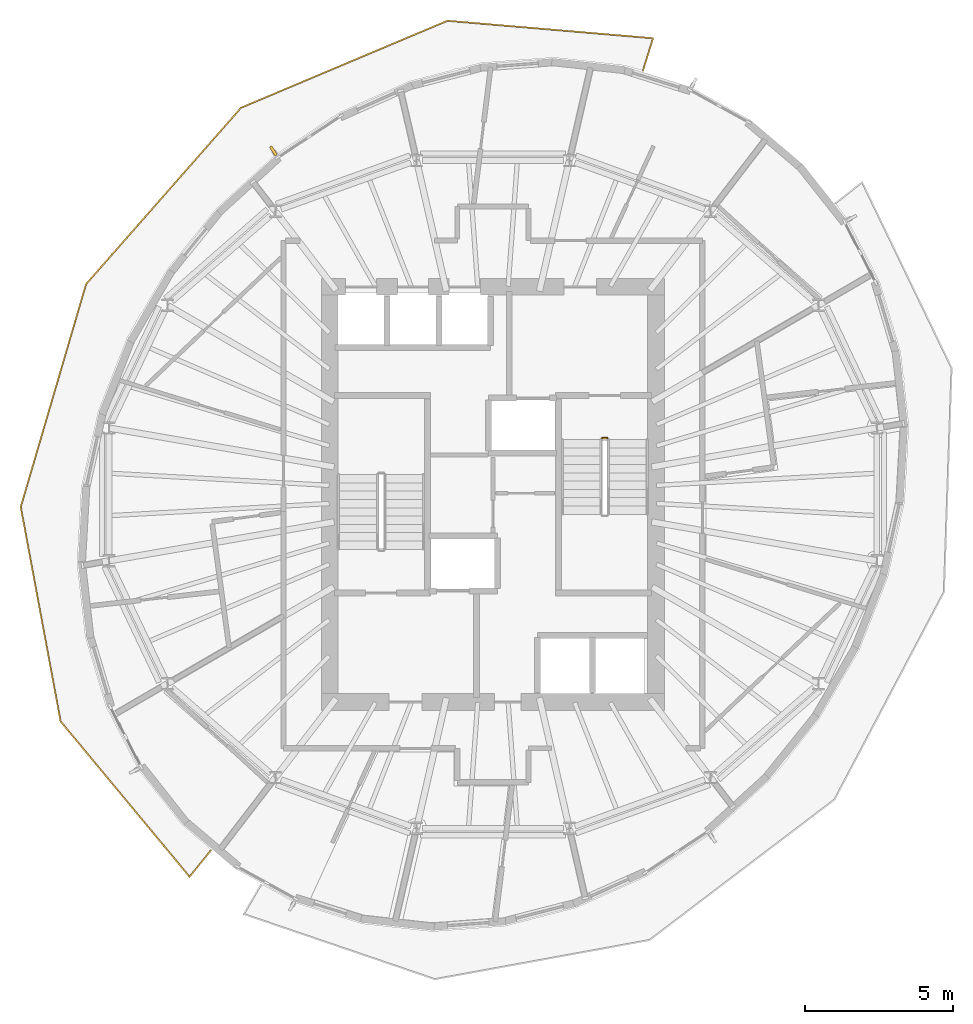
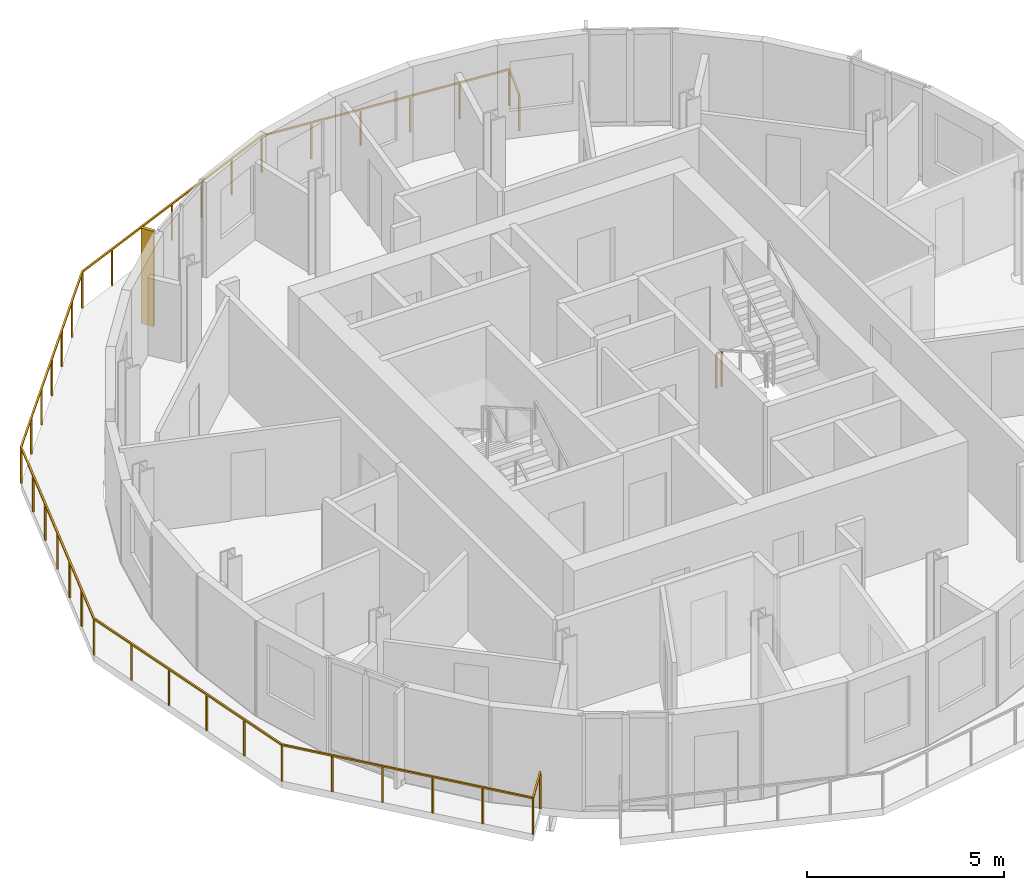
# One storey, part 10 of 11: 2 railings, 1 shading device.
"""IFC4 building model written with IfcOpenShell, lengths in metres."""

from ifc_helpers import new_model, si_unit, direction, frame, origin, origin_2d, place, context, subcontext, project, spatial, rectangle, extrude, material, layer, layer_set, type_object, element, save


model = new_model("IFC4")

# Units and contexts
model_context = context("Model", 3, precision=1e-05, world=origin(), true_north=direction((0.0, 1.0)))
body_context = subcontext(model_context, "Body", "Model", "MODEL_VIEW")
ifc_project = project(units=[si_unit("LENGTHUNIT", "METRE"), si_unit("AREAUNIT", "SQUARE_METRE"), si_unit("VOLUMEUNIT", "CUBIC_METRE"), si_unit("PLANEANGLEUNIT", "RADIAN"), si_unit("MASSUNIT", "GRAM", prefix="KILO")], contexts=[model_context])

# Site, building, storey
site_placement = place(None, origin())
site = spatial("IfcSite", under=ifc_project, at=site_placement, CompositionType="ELEMENT")
building_placement = place(site_placement, origin())
building = spatial("IfcBuilding", under=site, at=building_placement, Name="Veldorim Arch Residences", CompositionType="ELEMENT")
storey_placement = place(building_placement, frame((0.0, 0.0, 220.639892578125)))
storey = spatial("IfcBuildingStorey", under=building, at=storey_placement, Name="L66", CompositionType="ELEMENT", Elevation=220.639892578125)

# Railings
ifc_material_1 = material(Name="Aluminium", Category="aluminium")
railing_type_1 = type_object("IfcRailingType", Name="Balcony & Terrace Laminated Glass Balustrade 1150", PredefinedType="BALUSTRADE", material=ifc_material_1)
railing_1_placement = place(storey_placement, frame((37.05712890625, 38.286865234375, 0.0)))
element("IfcRailing", 1, at=railing_1_placement, inside=storey, type_object=railing_type_1, Name="L66 crescent balcony safety balustrade A", PredefinedType="BALUSTRADE", context=body_context, shape_type="SweptSolid", body=[
    extrude(rectangle(XDim=0.048095703125, YDim=0.048095703125, at=origin_2d()), frame((0.0, 0.0, 1.1259765625), z_axis=(0.298274993136, 0.954479978035, 0.0), x_axis=(-0.954479978035, 0.298274993136, 0.0)), (0.0, 0.0, 1.0), 1.14990234375),
    extrude(rectangle(XDim=0.048095703125, YDim=0.048095703125, at=origin_2d()), frame((0.343017578125, 1.09765625, 1.1259765625), z_axis=(-0.996398511951, 0.084793899432, 0.0), x_axis=(-0.084793899432, -0.996398511951, 0.0)), (0.0, 0.0, 1.0), 6.956298828125),
    extrude(rectangle(XDim=0.048095703125, YDim=0.048095703125, at=origin_2d()), frame((-6.588134765625, 1.6875, 1.1259765625), z_axis=(-0.921610434895, -0.388116227815, 0.0), x_axis=(0.388116227815, -0.921610434895, 0.0)), (0.0, 0.0, 1.0), 7.555419921875),
    extrude(rectangle(XDim=0.048095703125, YDim=0.048095703125, at=origin_2d()), frame((-13.55126953125, -1.244873046875, 1.1259765625), z_axis=(-0.660087723453, -0.751188523173, 0.0), x_axis=(0.751188523173, -0.660087723453, 0.0)), (0.0, 0.0, 1.0), 7.919189453125),
    extrude(rectangle(XDim=0.048095703125, YDim=0.048095703125, at=origin_2d()), frame((-18.778564453125, -7.193603515625, 1.1259765625), z_axis=(-0.281281819309, -0.959625207113, 0.0), x_axis=(0.959625207113, -0.281281819309, 0.0)), (0.0, 0.0, 1.0), 7.83154296875),
    extrude(rectangle(XDim=0.048095703125, YDim=0.048095703125, at=origin_2d()), frame((-20.9814453125, -14.708984375, 1.1259765625), z_axis=(0.18281765772, -0.983146837469, 0.0), x_axis=(0.983146837469, 0.18281765772, 0.0)), (0.0, 0.0, 1.0), 7.35693359375),
    extrude(rectangle(XDim=0.048095703125, YDim=0.048095703125, at=origin_2d()), frame((-19.636474609375, -21.94189453125, 1.1259765625), z_axis=(0.638793821761, -0.769377965164, 0.0), x_axis=(0.769377965164, 0.638793821761, 0.0)), (0.0, 0.0, 1.0), 6.80908203125),
    extrude(rectangle(XDim=0.048095703125, YDim=0.048095703125, at=origin_2d()), frame((-15.286865234375, -27.1806640625, 1.1259765625), z_axis=(0.62877677266, 0.777585860316, 0.0), x_axis=(-0.777585860316, 0.62877677266, 0.0)), (0.0, 0.0, 1.0), 1.150146484375),
    extrude(rectangle(XDim=0.0419921875, YDim=0.0419921875, at=origin_2d()), origin(), (0.0, 0.0, 1.0), 1.101806640625),
    extrude(rectangle(XDim=0.0419921875, YDim=0.0419921875, at=origin_2d()), frame((0.343017578125, 1.09765625, 0.0)), (0.0, 0.0, 1.0), 1.101806640625),
    extrude(rectangle(XDim=0.0419921875, YDim=0.0419921875, at=origin_2d()), frame((-1.043212890625, 1.215576171875, 0.0)), (0.0, 0.0, 1.0), 1.101806640625),
    extrude(rectangle(XDim=0.0419921875, YDim=0.0419921875, at=origin_2d()), frame((-2.429443359375, 1.33349609375, 0.0)), (0.0, 0.0, 1.0), 1.101806640625),
    extrude(rectangle(XDim=0.0419921875, YDim=0.0419921875, at=origin_2d()), frame((-3.815673828125, 1.45166015625, 0.0)), (0.0, 0.0, 1.0), 1.101806640625),
    extrude(rectangle(XDim=0.0419921875, YDim=0.0419921875, at=origin_2d()), frame((-5.201904296875, 1.569580078125, 0.0)), (0.0, 0.0, 1.0), 1.101806640625),
    extrude(rectangle(XDim=0.0419921875, YDim=0.0419921875, at=origin_2d()), frame((-6.588134765625, 1.6875, 0.0)), (0.0, 0.0, 1.0), 1.101806640625),
    extrude(rectangle(XDim=0.0419921875, YDim=0.0419921875, at=origin_2d()), frame((-7.74853515625, 1.19873046875, 0.0)), (0.0, 0.0, 1.0), 1.101806640625),
    extrude(rectangle(XDim=0.0419921875, YDim=0.0419921875, at=origin_2d()), frame((-8.9091796875, 0.7099609375, 0.0)), (0.0, 0.0, 1.0), 1.101806640625),
    extrude(rectangle(XDim=0.0419921875, YDim=0.0419921875, at=origin_2d()), frame((-10.06982421875, 0.22119140625, 0.0)), (0.0, 0.0, 1.0), 1.101806640625),
    extrude(rectangle(XDim=0.0419921875, YDim=0.0419921875, at=origin_2d()), frame((-11.230224609375, -0.267333984375, 0.0)), (0.0, 0.0, 1.0), 1.101806640625),
    extrude(rectangle(XDim=0.0419921875, YDim=0.0419921875, at=origin_2d()), frame((-12.390625, -0.756103515625, 0.0)), (0.0, 0.0, 1.0), 1.101806640625),
    extrude(rectangle(XDim=0.0419921875, YDim=0.0419921875, at=origin_2d()), frame((-13.55126953125, -1.244873046875, 0.0)), (0.0, 0.0, 1.0), 1.101806640625),
    extrude(rectangle(XDim=0.0419921875, YDim=0.0419921875, at=origin_2d()), frame((-14.42236328125, -2.236328125, 0.0)), (0.0, 0.0, 1.0), 1.101806640625),
    extrude(rectangle(XDim=0.0419921875, YDim=0.0419921875, at=origin_2d()), frame((-15.293701171875, -3.227783203125, 0.0)), (0.0, 0.0, 1.0), 1.101806640625),
    extrude(rectangle(XDim=0.0419921875, YDim=0.0419921875, at=origin_2d()), frame((-16.1650390625, -4.21923828125, 0.0)), (0.0, 0.0, 1.0), 1.101806640625),
    extrude(rectangle(XDim=0.0419921875, YDim=0.0419921875, at=origin_2d()), frame((-17.0361328125, -5.210693359375, 0.0)), (0.0, 0.0, 1.0), 1.101806640625),
    extrude(rectangle(XDim=0.0419921875, YDim=0.0419921875, at=origin_2d()), frame((-17.9072265625, -6.2021484375, 0.0)), (0.0, 0.0, 1.0), 1.101806640625),
    extrude(rectangle(XDim=0.0419921875, YDim=0.0419921875, at=origin_2d()), frame((-18.778564453125, -7.193603515625, 0.0)), (0.0, 0.0, 1.0), 1.101806640625),
    extrude(rectangle(XDim=0.0419921875, YDim=0.0419921875, at=origin_2d()), frame((-19.145751953125, -8.4462890625, 0.0)), (0.0, 0.0, 1.0), 1.101806640625),
    extrude(rectangle(XDim=0.0419921875, YDim=0.0419921875, at=origin_2d()), frame((-19.512939453125, -9.69873046875, 0.0)), (0.0, 0.0, 1.0), 1.101806640625),
    extrude(rectangle(XDim=0.0419921875, YDim=0.0419921875, at=origin_2d()), frame((-19.8798828125, -10.951171875, 0.0)), (0.0, 0.0, 1.0), 1.101806640625),
    extrude(rectangle(XDim=0.0419921875, YDim=0.0419921875, at=origin_2d()), frame((-20.2470703125, -12.203857421875, 0.0)), (0.0, 0.0, 1.0), 1.101806640625),
    extrude(rectangle(XDim=0.0419921875, YDim=0.0419921875, at=origin_2d()), frame((-20.6142578125, -13.45654296875, 0.0)), (0.0, 0.0, 1.0), 1.101806640625),
    extrude(rectangle(XDim=0.0419921875, YDim=0.0419921875, at=origin_2d()), frame((-20.9814453125, -14.708984375, 0.0)), (0.0, 0.0, 1.0), 1.101806640625),
    extrude(rectangle(XDim=0.0419921875, YDim=0.0419921875, at=origin_2d()), frame((-20.71240234375, -16.155517578125, 0.0)), (0.0, 0.0, 1.0), 1.101806640625),
    extrude(rectangle(XDim=0.0419921875, YDim=0.0419921875, at=origin_2d()), frame((-20.443359375, -17.60205078125, 0.0)), (0.0, 0.0, 1.0), 1.101806640625),
    extrude(rectangle(XDim=0.0419921875, YDim=0.0419921875, at=origin_2d()), frame((-20.174560546875, -19.048828125, 0.0)), (0.0, 0.0, 1.0), 1.101806640625),
    extrude(rectangle(XDim=0.0419921875, YDim=0.0419921875, at=origin_2d()), frame((-19.905517578125, -20.495361328125, 0.0)), (0.0, 0.0, 1.0), 1.101806640625),
    extrude(rectangle(XDim=0.0419921875, YDim=0.0419921875, at=origin_2d()), frame((-19.636474609375, -21.94189453125, 0.0)), (0.0, 0.0, 1.0), 1.101806640625),
    extrude(rectangle(XDim=0.0419921875, YDim=0.0419921875, at=origin_2d()), frame((-18.7666015625, -22.98974609375, 0.0)), (0.0, 0.0, 1.0), 1.101806640625),
    extrude(rectangle(XDim=0.0419921875, YDim=0.0419921875, at=origin_2d()), frame((-17.896728515625, -24.037353515625, 0.0)), (0.0, 0.0, 1.0), 1.101806640625),
    extrude(rectangle(XDim=0.0419921875, YDim=0.0419921875, at=origin_2d()), frame((-17.026611328125, -25.085205078125, 0.0)), (0.0, 0.0, 1.0), 1.101806640625),
    extrude(rectangle(XDim=0.0419921875, YDim=0.0419921875, at=origin_2d()), frame((-16.15673828125, -26.1328125, 0.0)), (0.0, 0.0, 1.0), 1.101806640625),
    extrude(rectangle(XDim=0.0419921875, YDim=0.0419921875, at=origin_2d()), frame((-15.286865234375, -27.1806640625, 0.0)), (0.0, 0.0, 1.0), 1.101806640625),
    extrude(rectangle(XDim=0.0419921875, YDim=0.0419921875, at=origin_2d()), frame((-14.563720703125, -26.286376953125, 0.0)), (0.0, 0.0, 1.0), 1.101806640625),
])
ifc_material_2 = material(Name="Steel S355", Category="steel")
railing_type_2 = type_object("IfcRailingType", Name="Galvanised Steel Stair Safety Guardrail 1100", PredefinedType="GUARDRAIL", material=ifc_material_2)
railing_2_placement = place(storey_placement, frame((35.68994140625, 25.89990234375, 0.0)))
element("IfcRailing", 2, at=railing_2_placement, inside=storey, type_object=railing_type_2, Name="L66 ST-2 stair guard 4", PredefinedType="GUARDRAIL", context=body_context, shape_type="SweptSolid", body=[
    extrude(rectangle(XDim=0.048095703125, YDim=0.048095703125, at=origin_2d()), frame((0.0, 0.0, 1.076171875), z_axis=(1.0, 0.0, 0.0), x_axis=(0.0, 1.0, 0.0)), (0.0, 0.0, 1.0), 0.16015625),
    extrude(rectangle(XDim=0.0419921875, YDim=0.0419921875, at=origin_2d()), origin(), (0.0, 0.0, 1.0), 1.052001953125),
    extrude(rectangle(XDim=0.0419921875, YDim=0.0419921875, at=origin_2d()), frame((0.16015625, 0.0, 0.0)), (0.0, 0.0, 1.0), 1.052001953125),
])

# Shading device
ifc_material_3 = material(Name="Terracotta Ceramic", Category="masonry")
ifc_layer = layer(ifc_material_3, 0.090087890625, Name="Vertical Extruded Terracotta Baguette Sun-Shading Fin")
ifc_layer_set = layer_set([ifc_layer], Name="Terracotta Ceramic")
shading_device_type = type_object("IfcShadingDeviceType", Name="Vertical Extruded Terracotta Baguette Sun-Shading Fin", PredefinedType="USERDEFINED", material=ifc_layer_set)
shading_device_placement = place(storey_placement, frame((24.59521484375, 35.58837890625, 0.000244140625), z_axis=(0.0, 0.0, 1.0), x_axis=(0.835135979853, 0.550043539327, 0.0)))
element("IfcShadingDevice", 3, at=shading_device_placement, inside=storey, type_object=shading_device_type, Name="L66 vertical terracotta sun-shading fin 07", ObjectType="FIN", PredefinedType="USERDEFINED", context=body_context, shape_type="SweptSolid", body=[
    extrude(rectangle(XDim=0.090087890625, YDim=0.360107421875, at=origin_2d()), origin(), (0.0, 0.0, 1.0), 2.9599609375),
])

save(model, "model.ifc")
